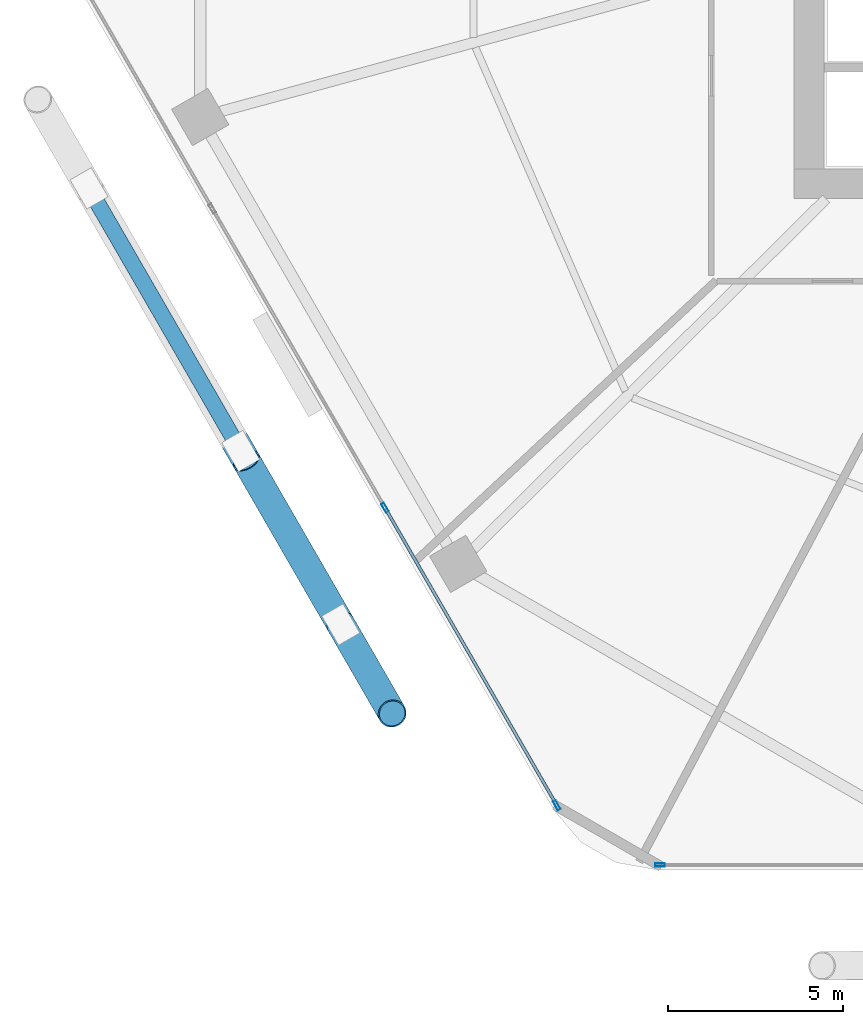
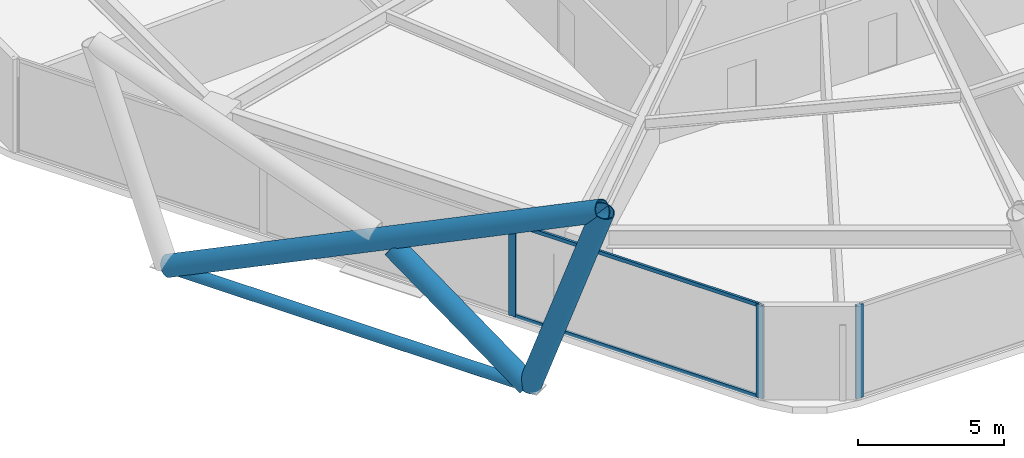
# One storey, part 2 of 30: 9 members, 2 elements without a shape of their own.
"""IFC4 building model written with IfcOpenShell, lengths in metres."""

from ifc_helpers import new_model, si_unit, direction, frame, origin, origin_2d, place, context, subcontext, project, spatial, hollow_rectangle, hollow_circle, extrude, material, material_profile, profile_set, type_object, element, aggregate, save


model = new_model("IFC4")

# Units and contexts
model_context = context("Model", 3, precision=1e-05, world=origin(), true_north=direction((0.0, 1.0)))
body_context = subcontext(model_context, "Body", "Model", "MODEL_VIEW")
ifc_project = project(units=[si_unit("LENGTHUNIT", "METRE"), si_unit("AREAUNIT", "SQUARE_METRE"), si_unit("VOLUMEUNIT", "CUBIC_METRE"), si_unit("PLANEANGLEUNIT", "RADIAN"), si_unit("MASSUNIT", "GRAM", prefix="KILO")], contexts=[model_context])

# Site, building, storey
site_placement = place(None, origin())
site = spatial("IfcSite", under=ifc_project, at=site_placement, CompositionType="ELEMENT")
building_placement = place(site_placement, origin())
building = spatial("IfcBuilding", under=site, at=building_placement, Name="Zuhravey Tower", CompositionType="ELEMENT")
storey_placement = place(building_placement, frame((0.0, 0.0, 33.0)))
storey = spatial("IfcBuildingStorey", under=building, at=storey_placement, Name="L08", CompositionType="ELEMENT", Elevation=33.0)

# Curtain wall, member
ifc_material_1 = material(Name="Thermally broken anodised aluminium", Category="aluminium")
curtain_wall_type = type_object("IfcCurtainWallType", Name="School Low-E Unitised Curtain Wall CW1", PredefinedType="NOTDEFINED", material=ifc_material_1)
curtain_wall_1_placement = place(storey_placement, origin())
curtain_wall_1 = element("IfcCurtainWall", 1, at=curtain_wall_1_placement, inside=storey, type_object=curtain_wall_type, Name="L08 CW1 CW-L08-F5-1", PredefinedType="NOTDEFINED")
ifc_material_2 = material(Name="Anodised aluminium", Category="aluminium")
ifc_material_profile_1 = material_profile(ifc_material_2, hollow_rectangle(XDim=0.090087890625, YDim=0.284912109375, WallThickness=0.0048828125, at=origin_2d()), Name="ALU-RHS-90x285x5")
ifc_profile_set_1 = profile_set([ifc_material_profile_1], Name="Anodised aluminium")
member_type_1 = type_object("IfcMemberType", Name="Curtain-Wall Mullion 90x180", PredefinedType="MULLION", material=ifc_profile_set_1)
member_1_placement = place(storey_placement, frame((21.24560546875, 3.04150390625, 0.0), z_axis=(0.0, 0.0, 1.0), x_axis=(0.0, -1.0, 0.0)))
member_1 = element("IfcMember", 2, at=member_1_placement, type_object=member_type_1, Name="CW1 mullion 4", PredefinedType="MULLION", context=body_context, shape_type="SweptSolid", body=[
    extrude(hollow_rectangle(XDim=0.090087890625, YDim=0.284912109375, WallThickness=0.0048828125, at=origin_2d()), origin(), (0.0, 0.0, 1.0), 3.919921875),
])
aggregate(curtain_wall_1, [member_1])

# Curtain wall, members
curtain_wall_2_placement = place(storey_placement, origin())
curtain_wall_2 = element("IfcCurtainWall", 3, at=curtain_wall_2_placement, inside=storey, type_object=curtain_wall_type, Name="L08 CW1 CW-L08-F4-1", PredefinedType="NOTDEFINED")
member_2_placement = place(storey_placement, frame((18.298583984375, 4.742919921875, 0.0), z_axis=(0.0, 0.0, 1.0), x_axis=(-0.86602552265, -0.499999794119, 0.0)))
member_2 = element("IfcMember", 4, at=member_2_placement, type_object=member_type_1, Name="CW1 mullion 1", PredefinedType="MULLION", context=body_context, shape_type="SweptSolid", body=[
    extrude(hollow_rectangle(XDim=0.090087890625, YDim=0.284912109375, WallThickness=0.0048828125, at=origin_2d()), origin(), (0.0, 0.0, 1.0), 3.919921875),
])
member_3_placement = place(storey_placement, frame((13.387939453125, 13.24853515625, 0.0), z_axis=(0.0, 0.0, 1.0), x_axis=(-0.86602552265, -0.499999794119, 0.0)))
member_3 = element("IfcMember", 5, at=member_3_placement, type_object=member_type_1, Name="CW1 mullion 2", PredefinedType="MULLION", context=body_context, shape_type="SweptSolid", body=[
    extrude(hollow_rectangle(XDim=0.090087890625, YDim=0.284912109375, WallThickness=0.0048828125, at=origin_2d()), origin(), (0.0, 0.0, 1.0), 3.919921875),
])
ifc_material_profile_2 = material_profile(ifc_material_2, hollow_rectangle(XDim=0.090087890625, YDim=0.14990234375, WallThickness=0.0048828125, at=origin_2d()), Name="ALU-RHS-90x150x5")
ifc_profile_set_2 = profile_set([ifc_material_profile_2], Name="Anodised aluminium")
member_type_2 = type_object("IfcMemberType", Name="Curtain-Wall Transom 90x150", PredefinedType="USERDEFINED", material=ifc_profile_set_2)
member_4_placement = place(storey_placement, frame((18.27587890625, 4.781982421875, 0.044921875), z_axis=(-0.499989576763, 0.86603142156, 0.0), x_axis=(-0.86603142156, -0.499989576763, 0.0)))
member_4 = element("IfcMember", 6, at=member_4_placement, type_object=member_type_2, Name="CW1 transom 1.1", ObjectType="TRANSOM", PredefinedType="USERDEFINED", context=body_context, shape_type="SweptSolid", body=[
    extrude(hollow_rectangle(XDim=0.090087890625, YDim=0.14990234375, WallThickness=0.0048828125, at=origin_2d()), origin(), (0.0, 0.0, 1.0), 9.731201171875),
])
member_5_placement = place(storey_placement, frame((18.27587890625, 4.781982421875, 3.875), z_axis=(-0.499989576763, 0.86603142156, 0.0), x_axis=(-0.86603142156, -0.499989576763, 0.0)))
member_5 = element("IfcMember", 7, at=member_5_placement, type_object=member_type_2, Name="CW1 transom 1.2", ObjectType="TRANSOM", PredefinedType="USERDEFINED", context=body_context, shape_type="SweptSolid", body=[
    extrude(hollow_rectangle(XDim=0.090087890625, YDim=0.14990234375, WallThickness=0.0048828125, at=origin_2d()), origin(), (0.0, 0.0, 1.0), 9.731201171875),
])
aggregate(curtain_wall_2, [member_2, member_3, member_4, member_5])

# Members
ifc_material_3 = material(Name="Steel SM355", Category="steel")
ifc_material_profile_3 = material_profile(ifc_material_3, hollow_circle(Radius=0.228515625, WallThickness=0.02197265625, at=origin_2d()), Name="CHS-457.2x22")
ifc_profile_set_3 = profile_set([ifc_material_profile_3], Name="Steel SM355")
member_type_3 = type_object("IfcMemberType", Name="Exoskeleton Ring Tie CHS457x22", PredefinedType="CHORD", material=ifc_profile_set_3)
member_6_placement = place(storey_placement, frame((5.004150390625, 22.24951171875, -0.493896484375), z_axis=(0.499995593262, -0.866027948001, 0.0), x_axis=(0.866027948001, 0.499995593262, 0.0)))
element("IfcMember", 8, at=member_6_placement, inside=storey, type_object=member_type_3, Name="L08 Exoskeleton Face 4 Tie EXR1", PredefinedType="CHORD", context=body_context, shape_type="SweptSolid", body=[
    extrude(hollow_circle(Radius=0.228515625, WallThickness=0.02197265625, at=origin_2d()), origin(), (0.0, 0.0, 1.0), 14.107666015625),
])
ifc_material_4 = material(Name="Steel SM460", Category="steel")
ifc_material_profile_4 = material_profile(ifc_material_4, hollow_circle(Radius=0.406494140625, WallThickness=0.035888671875, at=origin_2d()), Name="CHS-812.8x36")
ifc_profile_set_4 = profile_set([ifc_material_profile_4], Name="Steel SM460")
member_type_4 = type_object("IfcMemberType", Name="Exoskeleton Zone 1 Diagrid CHS813x36", PredefinedType="BRACE", material=ifc_profile_set_4)
member_7_placement = place(storey_placement, frame((4.956787109375, 22.33154296875, -0.471923828125), z_axis=(0.449932637588, -0.779312332372, 0.436156978902), x_axis=(0.866027110715, 0.499997043497, 0.0)))
element("IfcMember", 9, at=member_7_placement, inside=storey, type_object=member_type_4, Name="L08 Face 4 Diagrid Brace 2", PredefinedType="BRACE", context=body_context, shape_type="SweptSolid", body=[
    extrude(hollow_circle(Radius=0.406494140625, WallThickness=0.035888671875, at=origin_2d()), origin(), (0.0, 0.0, 1.0), 19.158203125),
])
member_8_placement = place(storey_placement, frame((12.1318359375, 9.904052734375, -0.471923828125), z_axis=(0.165307317227, -0.286358046605, 0.943754501984), x_axis=(0.866053660865, 0.499951054106, 0.0)))
element("IfcMember", 10, at=member_8_placement, inside=storey, type_object=member_type_4, Name="L08 Face 4 Diagrid Brace 4", PredefinedType="BRACE", context=body_context, shape_type="SweptSolid", body=[
    extrude(hollow_circle(Radius=0.406494140625, WallThickness=0.035888671875, at=origin_2d()), origin(), (0.0, 0.0, 1.0), 8.85400390625),
])
member_9_placement = place(storey_placement, frame((12.107666015625, 9.94580078125, -0.464111328125), z_axis=(-0.403092056741, 0.69816190232, 0.59168129254), x_axis=(-0.866021056018, -0.500007530476, 0.0)))
element("IfcMember", 11, at=member_9_placement, inside=storey, type_object=member_type_4, Name="L08 Face 4 Split Diagrid Brace 3A", PredefinedType="BRACE", context=body_context, shape_type="SweptSolid", body=[
    extrude(hollow_circle(Radius=0.406494140625, WallThickness=0.035888671875, at=origin_2d()), origin(), (0.0, 0.0, 1.0), 6.6513671875),
])

save(model, "model.ifc")
